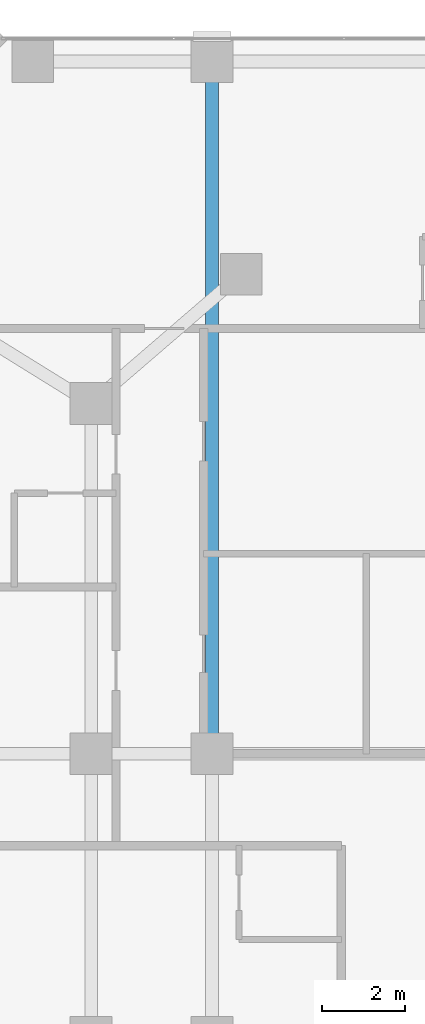
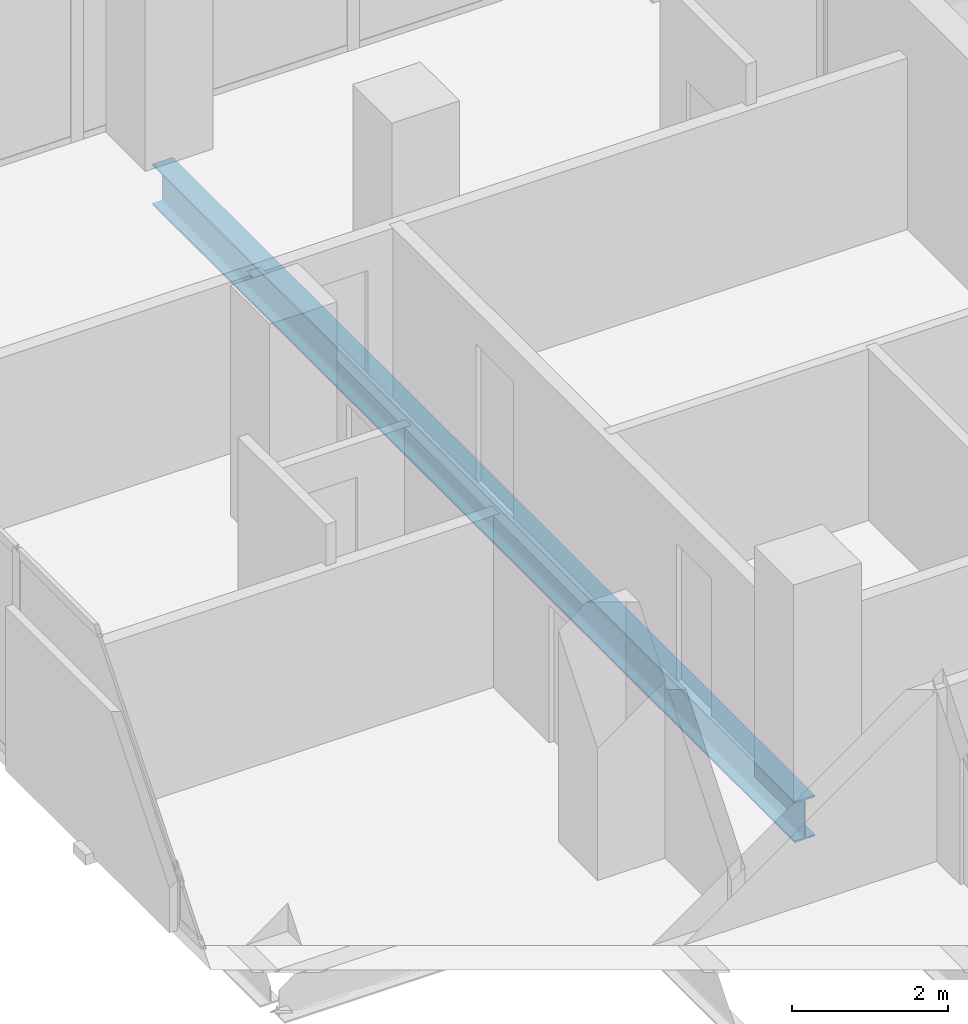
# One storey, part 17 of 31: 1 beam.
"""IFC4 building model written with IfcOpenShell, lengths in metres."""

import ifcopenshell
import ifcopenshell.guid

model = None  # the IFC model being written
_history = None  # IfcOwnerHistory: only IFC2X3 demands one
_inside = {}  # id of a spatial element -> (the spatial element, [elements in it])
_under = {}  # id of a project, library or spatial element -> (it, [spatial elements below it])
_declared = {}  # id of a project -> (the project, [libraries it declares])
_typed = {}  # id of a type object -> (the type object, [elements of that type])
_made_of = {}  # id of a material, layer set ... -> (it, [elements and type objects made of it])


def new_model(schema):
    """Start an empty IFC model of exactly this schema.

    Asked for "IFC4X3", IfcOpenShell would pick the latest addendum, in which some entities
    have other attributes; the version numbers below select the first issue.
    IFC2X3 requires an IfcOwnerHistory on every rooted entity: one is made here for all.
    """
    global model, _history
    if schema == "IFC4X3":
        model = ifcopenshell.file(schema_version=(4, 3, 0, 0))
    else:
        model = ifcopenshell.file(schema=schema)
    _inside.clear()
    _under.clear()
    _declared.clear()
    _typed.clear()
    _made_of.clear()
    _history = None
    if model.schema == "IFC2X3":
        org = make("IfcOrganization", Name="unknown")
        user = make(
            "IfcPersonAndOrganization",
            ThePerson=make("IfcPerson", FamilyName="unknown"),
            TheOrganization=org,
        )
        app = make(
            "IfcApplication",
            ApplicationDeveloper=org,
            Version="unknown",
            ApplicationFullName="unknown",
            ApplicationIdentifier="unknown",
        )
        _history = make(
            "IfcOwnerHistory",
            OwningUser=user,
            OwningApplication=app,
            ChangeAction="ADDED",
            CreationDate=0,
        )
    return model


def make(cls, **values):
    """One entity of the class cls with the attributes given. An attribute that is None is left unset."""
    return model.create_entity(
        cls, **{name: value for name, value in values.items() if value is not None}
    )


def rooted(cls, **values):
    """An entity with a GlobalId (a new one), such as an element, a storey or a relation."""
    return make(cls, GlobalId=ifcopenshell.guid.new(), OwnerHistory=_history, **values)


def si_unit(unit_type, name, prefix=None):
    """IfcSIUnit, for example si_unit("LENGTHUNIT", "METRE", prefix="MILLI")."""
    return make("IfcSIUnit", UnitType=unit_type, Prefix=prefix, Name=name)


def assignment(units):
    """IfcUnitAssignment: the units of a project."""
    return None if units is None else make("IfcUnitAssignment", Units=units)


def point(xyz):
    """IfcCartesianPoint."""
    return None if xyz is None else make("IfcCartesianPoint", Coordinates=xyz)


def direction(xyz):
    """IfcDirection."""
    return None if xyz is None else make("IfcDirection", DirectionRatios=xyz)


def frame(location, z_axis=None, x_axis=None):
    """IfcAxis2Placement3D, a coordinate frame: its origin and axes. An axis left out is left unset."""
    return make(
        "IfcAxis2Placement3D",
        Location=point(location),
        Axis=direction(z_axis),
        RefDirection=direction(x_axis),
    )


def frame_2d(location, x_axis=None):
    """IfcAxis2Placement2D, a coordinate frame in the plane: its origin and x axis."""
    return make(
        "IfcAxis2Placement2D", Location=point(location), RefDirection=direction(x_axis)
    )


def origin():
    """The frame at (0, 0, 0) with its axes left unset."""
    return frame((0.0, 0.0, 0.0))


def origin_2d():
    """The frame at (0, 0) in the plane with its x axis left unset."""
    return frame_2d((0.0, 0.0))


def place(relative_to, where):
    """IfcLocalPlacement: puts the frame where relative to a parent placement (None: the world)."""
    return make(
        "IfcLocalPlacement", PlacementRelTo=relative_to, RelativePlacement=where
    )


def context(
    kind, dimensions, precision=None, world=None, true_north=None, identifier=None
):
    """IfcGeometricRepresentationContext, for example the 3D "Model" context."""
    return make(
        "IfcGeometricRepresentationContext",
        ContextIdentifier=identifier,
        ContextType=kind,
        CoordinateSpaceDimension=dimensions,
        Precision=precision,
        WorldCoordinateSystem=world,
        TrueNorth=true_north,
    )


def subcontext(parent, identifier, kind, view, scale=None):
    """IfcGeometricRepresentationSubContext, for example "Body" below "Model"."""
    return make(
        "IfcGeometricRepresentationSubContext",
        ContextIdentifier=identifier,
        ContextType=kind,
        ParentContext=parent,
        TargetScale=scale,
        TargetView=view,
    )


def project(units=None, contexts=None):
    """IfcProject with its units and contexts."""
    return rooted(
        "IfcProject",
        Name="project",
        RepresentationContexts=contexts,
        UnitsInContext=assignment(units),
    )


def spatial(cls, under=None, at=None, **own):
    """A site, building, storey or space (cls), placed at a placement, below another one or the project."""
    s = rooted(cls, ObjectPlacement=at, **own)
    if under is not None:
        _under.setdefault(under.id(), (under, []))[1].append(s)
    return s


def profile(cls, at=None, kind="AREA", **sizes):
    """A parametric profile (cls). Its sizes go by their IFC names, for example OverallWidth=200.0."""
    return make(cls, ProfileType=kind, Position=at, **sizes)


def i_section(**sizes):
    """IfcIShapeProfileDef."""
    return profile("IfcIShapeProfileDef", **sizes)


def extrude(swept, where, along, depth):
    """IfcExtrudedAreaSolid: the profile swept, set in the frame where, extruded along a direction by depth."""
    return make(
        "IfcExtrudedAreaSolid",
        SweptArea=swept,
        Position=where,
        ExtrudedDirection=direction(along),
        Depth=depth,
    )


def shape(context_of_items, identifier, shape_type, items):
    """IfcShapeRepresentation: the items that make up one representation, for example the "Body"."""
    return make(
        "IfcShapeRepresentation",
        ContextOfItems=context_of_items,
        RepresentationIdentifier=identifier,
        RepresentationType=shape_type,
        Items=items,
    )


def material(Name=None, Category=None):
    """IfcMaterial."""
    return make("IfcMaterial", Name=Name, Category=Category)


def material_profile(
    of_material, cross_section, Name=None, Category=None, Priority=None
):
    """IfcMaterialProfile: a cross section and its material."""
    return make(
        "IfcMaterialProfile",
        Name=Name,
        Material=of_material,
        Profile=cross_section,
        Priority=Priority,
        Category=Category,
    )


def profile_set(profiles, Name=None, composite=None):
    """IfcMaterialProfileSet."""
    return make(
        "IfcMaterialProfileSet",
        Name=Name,
        MaterialProfiles=profiles,
        CompositeProfile=composite,
    )


def made_of(thing, what):
    """Note that an element or type object is made of a material, layer set ...; save() writes the relation."""
    if what is not None:
        _made_of.setdefault(what.id(), (what, []))[1].append(thing)
    return thing


def type_object(cls, material=None, **own):
    """A type object (cls), such as IfcWallType, which elements share."""
    return made_of(rooted(cls, **own), material)


def element(
    cls,
    number,
    at=None,
    inside=None,
    cuts=None,
    type_object=None,
    material=None,
    context=None,
    identifier="Body",
    shape_type=None,
    held_by="IfcProductDefinitionShape",
    body=None,
    shapes=None,
    **own,
):
    """One element of the class cls, such as IfcWall. Its Tag is "e" and its number.

    at: its placement. inside: the storey or other place that contains it. cuts: it is an
    opening in that element (IfcRelVoidsElement). A single representation is given by context,
    identifier, shape_type and body (its items); several are given by shapes. held_by: the class
    of the entity that holds the representations. save() writes the other relations.
    """
    e = rooted(cls, Tag="e%d" % number, ObjectPlacement=at, **own)
    if body is not None:
        shapes = [shape(context, identifier, shape_type, body)]
    if shapes is not None:
        e.Representation = make(held_by, Representations=shapes)
    if inside is not None:
        _inside.setdefault(inside.id(), (inside, []))[1].append(e)
    if cuts is not None:
        rooted(
            "IfcRelVoidsElement", RelatingBuildingElement=cuts, RelatedOpeningElement=e
        )
    if type_object is not None:
        _typed.setdefault(type_object.id(), (type_object, []))[1].append(e)
    return made_of(e, material)


def aggregate(whole, parts):
    """IfcRelAggregates: a whole, such as a stair, and the parts it consists of."""
    return rooted("IfcRelAggregates", RelatingObject=whole, RelatedObjects=parts)


def save(model, path):
    """Write the relations noted so far, then the file.

    IfcRelAggregates (storeys below a building ...), IfcRelContainedInSpatialStructure (elements
    in a storey), IfcRelDefinesByType, IfcRelAssociatesMaterial and IfcRelDeclares: one each for
    every whole, place, type object, material and project.
    """
    for whole, parts in _under.values():
        aggregate(whole, parts)
    for where, things in _inside.values():
        rooted(
            "IfcRelContainedInSpatialStructure",
            RelatedElements=things,
            RelatingStructure=where,
        )
    for kind, things in _typed.values():
        rooted("IfcRelDefinesByType", RelatedObjects=things, RelatingType=kind)
    for what, things in _made_of.values():
        rooted("IfcRelAssociatesMaterial", RelatedObjects=things, RelatingMaterial=what)
    for by, libraries in _declared.values():
        rooted("IfcRelDeclares", RelatingContext=by, RelatedDefinitions=libraries)
    model.write(path)


model = new_model("IFC4")

# Units and contexts
model_context = context("Model", 3, precision=1e-05, world=origin(), true_north=direction((0.0, 1.0)))
body_context = subcontext(model_context, "Body", "Model", "MODEL_VIEW")
ifc_project = project(units=[si_unit("LENGTHUNIT", "METRE"), si_unit("AREAUNIT", "SQUARE_METRE"), si_unit("VOLUMEUNIT", "CUBIC_METRE"), si_unit("PLANEANGLEUNIT", "RADIAN"), si_unit("MASSUNIT", "GRAM", prefix="KILO")], contexts=[model_context])

# Site, building, storey
site_placement = place(None, origin())
site = spatial("IfcSite", under=ifc_project, at=site_placement, CompositionType="ELEMENT")
building_placement = place(site_placement, origin())
building = spatial("IfcBuilding", under=site, at=building_placement, Name="Catumbela Crestline Tower", CompositionType="ELEMENT")
storey_placement = place(building_placement, frame((0.0, 0.0, 25.8)))
storey = spatial("IfcBuildingStorey", under=building, at=storey_placement, Name="L05", CompositionType="ELEMENT", Elevation=25.8)

# Beam
ifc_material = material(Name="Structural steel S355J2", Category="steel")
ifc_material_profile = material_profile(ifc_material, i_section(OverallWidth=0.3, OverallDepth=0.64, WebThickness=0.0135, FlangeThickness=0.026, FilletRadius=0.027, at=origin_2d()), Name="HEA 650")
ifc_profile_set = profile_set([ifc_material_profile], Name="Structural steel S355J2")
beam_type = type_object("IfcBeamType", Name="BG-HEA650", PredefinedType="BEAM", material=ifc_profile_set)
beam_placement = place(storey_placement, frame((8.5, 30.88, -0.58), z_axis=(0.0, 1.0, 0.0), x_axis=(-1.0, 0.0, 0.0)))
element("IfcBeam", 1, at=beam_placement, inside=storey, type_object=beam_type, Name="L05 Beam BM-L05-SN30", PredefinedType="BEAM", context=body_context, shape_type="SweptSolid", body=[
    extrude(i_section(OverallWidth=0.3, OverallDepth=0.64, WebThickness=0.0135, FlangeThickness=0.026, FilletRadius=0.027, at=origin_2d()), origin(), (0.0, 0.0, 1.0), 16.44),
])

save(model, "model.ifc")
